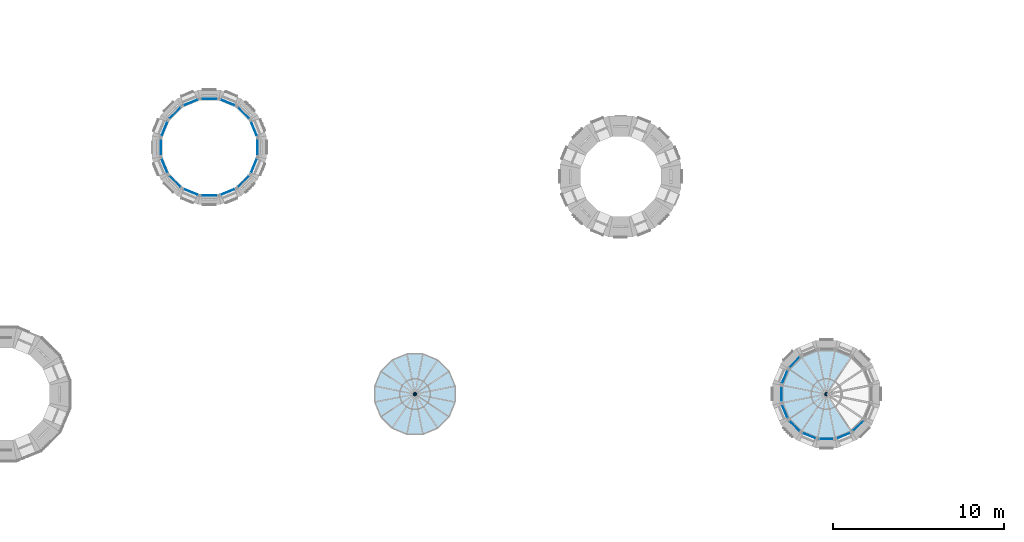
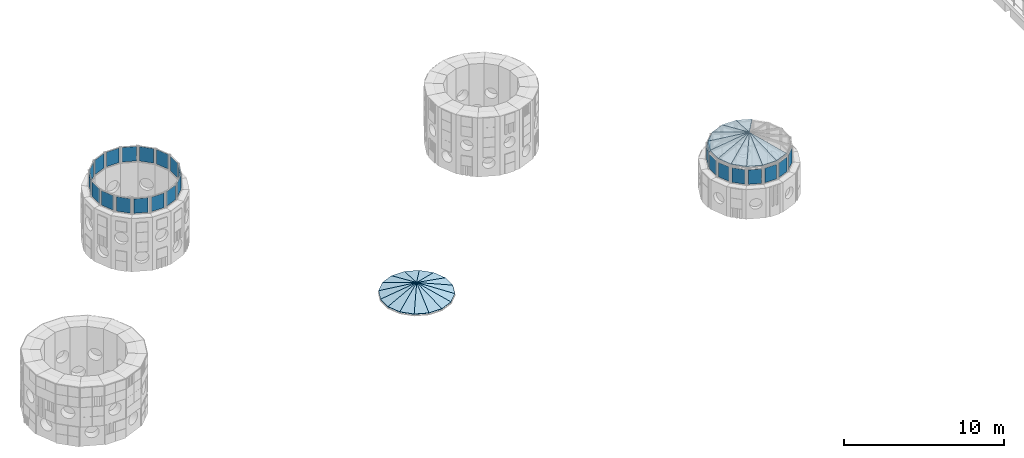
# One storey, part 22 of 42: 27 slabs, 25 plates, 25 elements without a shape of their own.
"""IFC4 building model written with IfcOpenShell, lengths in metres."""

from ifc_helpers import new_model, si_unit, direction, frame, origin, origin_2d, place, context, subcontext, project, spatial, polyline, rectangle, outline, extrude, material, layer, layer_set, type_object, element, aggregate, save


model = new_model("IFC4")

# Units and contexts
model_context = context("Model", 3, precision=1e-05, world=origin(), true_north=direction((0.0, 1.0)))
body_context = subcontext(model_context, "Body", "Model", "MODEL_VIEW")
ifc_project = project(units=[si_unit("LENGTHUNIT", "METRE"), si_unit("AREAUNIT", "SQUARE_METRE"), si_unit("VOLUMEUNIT", "CUBIC_METRE"), si_unit("PLANEANGLEUNIT", "RADIAN"), si_unit("MASSUNIT", "GRAM", prefix="KILO")], contexts=[model_context])

# Site, building, storey
site_placement = place(None, origin())
site = spatial("IfcSite", under=ifc_project, at=site_placement, CompositionType="ELEMENT")
building_placement = place(site_placement, origin())
building = spatial("IfcBuilding", under=site, at=building_placement, Name="Sun Court Science Centre", CompositionType="ELEMENT")
storey_placement = place(building_placement, frame((0.0, 0.0, 20.25)))
storey = spatial("IfcBuildingStorey", under=building, at=storey_placement, Name="L04", CompositionType="ELEMENT", Elevation=20.25)

# Curtain wall, plate
ifc_material_1 = material(Name="Aluminium EN AW-6063 T6", Category="aluminium")
curtain_wall_type = type_object("IfcCurtainWallType", Name="Lantern clerestory curtain wall 1500", PredefinedType="NOTDEFINED", material=ifc_material_1)
curtain_wall_1_placement = place(storey_placement, origin())
curtain_wall_1 = element("IfcCurtainWall", 1, at=curtain_wall_1_placement, inside=storey, type_object=curtain_wall_type, Name="Curtain wall V2 C2 clerestory L04 01", PredefinedType="NOTDEFINED")
ifc_material_2 = material(Name="Insulated glass", Category="glass")
ifc_layer_1 = layer(ifc_material_2, 0.031982421875)
ifc_layer_set_1 = layer_set([ifc_layer_1], Name="Insulated glass")
plate_type = type_object("IfcPlateType", Name="Foyer insulated glazing panel 8-16-8", PredefinedType="CURTAIN_PANEL", material=ifc_layer_set_1)
plate_1_placement = place(storey_placement, frame((20.608154296875, 26.980224609375, 3.800048828125), z_axis=(0.0, 0.0, 1.0), x_axis=(0.382683432365, -0.923879532511, 0.0)))
plate_1 = element("IfcPlate", 2, at=plate_1_placement, type_object=plate_type, Name="Smoke vent opening light CW4-17 panel 1", PredefinedType="CURTAIN_PANEL", context=body_context, shape_type="SweptSolid", body=[
    extrude(rectangle(XDim=0.90869140625, YDim=0.031982421875, at=origin_2d()), origin(), (0.0, 0.0, 1.0), 1.10009765625),
])
aggregate(curtain_wall_1, [plate_1])

curtain_wall_2_placement = place(storey_placement, origin())
curtain_wall_2 = element("IfcCurtainWall", 3, at=curtain_wall_2_placement, inside=storey, type_object=curtain_wall_type, Name="Curtain wall V2 C2 clerestory L04 02", PredefinedType="NOTDEFINED")
plate_2_placement = place(storey_placement, frame((19.99609375, 27.896240234375, 3.800048828125), z_axis=(0.0, 0.0, 1.0), x_axis=(0.707106781187, -0.707106781187, 0.0)))
plate_2 = element("IfcPlate", 4, at=plate_2_placement, type_object=plate_type, Name="CW4-18 panel 1.1", PredefinedType="CURTAIN_PANEL", context=body_context, shape_type="SweptSolid", body=[
    extrude(rectangle(XDim=0.90869140625, YDim=0.031982421875, at=origin_2d()), origin(), (0.0, 0.0, 1.0), 1.10009765625),
])
aggregate(curtain_wall_2, [plate_2])

curtain_wall_3_placement = place(storey_placement, origin())
curtain_wall_3 = element("IfcCurtainWall", 5, at=curtain_wall_3_placement, inside=storey, type_object=curtain_wall_type, Name="Curtain wall V2 C2 clerestory L04 03", PredefinedType="NOTDEFINED")
plate_3_placement = place(storey_placement, frame((19.080322265625, 28.508056640625, 3.800048828125), z_axis=(0.0, 0.0, 1.0), x_axis=(0.923879532511, -0.382683432365, 0.0)))
plate_3 = element("IfcPlate", 6, at=plate_3_placement, type_object=plate_type, Name="Smoke vent opening light CW4-19 panel 1", PredefinedType="CURTAIN_PANEL", context=body_context, shape_type="SweptSolid", body=[
    extrude(rectangle(XDim=0.90869140625, YDim=0.031982421875, at=origin_2d()), origin(), (0.0, 0.0, 1.0), 1.10009765625),
])
aggregate(curtain_wall_3, [plate_3])

curtain_wall_4_placement = place(storey_placement, origin())
curtain_wall_4 = element("IfcCurtainWall", 7, at=curtain_wall_4_placement, inside=storey, type_object=curtain_wall_type, Name="Curtain wall V2 C2 clerestory L04 04", PredefinedType="NOTDEFINED")
plate_4_placement = place(storey_placement, frame((18.0, 28.722900390625, 3.800048828125), z_axis=(0.0, 0.0, 1.0), x_axis=(1.0, 0.0, 0.0)))
plate_4 = element("IfcPlate", 8, at=plate_4_placement, type_object=plate_type, Name="CW4-20 panel 1.1", PredefinedType="CURTAIN_PANEL", context=body_context, shape_type="SweptSolid", body=[
    extrude(rectangle(XDim=0.90869140625, YDim=0.031982421875, at=origin_2d()), origin(), (0.0, 0.0, 1.0), 1.10009765625),
])
aggregate(curtain_wall_4, [plate_4])

curtain_wall_5_placement = place(storey_placement, origin())
curtain_wall_5 = element("IfcCurtainWall", 9, at=curtain_wall_5_placement, inside=storey, type_object=curtain_wall_type, Name="Curtain wall V2 C2 clerestory L04 05", PredefinedType="NOTDEFINED")
plate_5_placement = place(storey_placement, frame((16.919677734375, 28.508056640625, 3.800048828125), z_axis=(0.0, 0.0, 1.0), x_axis=(0.923879532511, 0.382683432365, 0.0)))
plate_5 = element("IfcPlate", 10, at=plate_5_placement, type_object=plate_type, Name="Smoke vent opening light CW4-21 panel 1", PredefinedType="CURTAIN_PANEL", context=body_context, shape_type="SweptSolid", body=[
    extrude(rectangle(XDim=0.90869140625, YDim=0.031982421875, at=origin_2d()), origin(), (0.0, 0.0, 1.0), 1.10009765625),
])
aggregate(curtain_wall_5, [plate_5])

curtain_wall_6_placement = place(storey_placement, origin())
curtain_wall_6 = element("IfcCurtainWall", 11, at=curtain_wall_6_placement, inside=storey, type_object=curtain_wall_type, Name="Curtain wall V2 C2 clerestory L04 06", PredefinedType="NOTDEFINED")
plate_6_placement = place(storey_placement, frame((16.00390625, 27.896240234375, 3.800048828125), z_axis=(0.0, 0.0, 1.0), x_axis=(0.707106781187, 0.707106781187, 0.0)))
plate_6 = element("IfcPlate", 12, at=plate_6_placement, type_object=plate_type, Name="CW4-22 panel 1.1", PredefinedType="CURTAIN_PANEL", context=body_context, shape_type="SweptSolid", body=[
    extrude(rectangle(XDim=0.90869140625, YDim=0.031982421875, at=origin_2d()), origin(), (0.0, 0.0, 1.0), 1.10009765625),
])
aggregate(curtain_wall_6, [plate_6])

curtain_wall_7_placement = place(storey_placement, origin())
curtain_wall_7 = element("IfcCurtainWall", 13, at=curtain_wall_7_placement, inside=storey, type_object=curtain_wall_type, Name="Curtain wall V2 C2 clerestory L04 07", PredefinedType="NOTDEFINED")
plate_7_placement = place(storey_placement, frame((15.391845703125, 26.980224609375, 3.800048828125), z_axis=(0.0, 0.0, 1.0), x_axis=(0.382683432365, 0.923879532511, 0.0)))
plate_7 = element("IfcPlate", 14, at=plate_7_placement, type_object=plate_type, Name="Smoke vent opening light CW4-23 panel 1", PredefinedType="CURTAIN_PANEL", context=body_context, shape_type="SweptSolid", body=[
    extrude(rectangle(XDim=0.90869140625, YDim=0.031982421875, at=origin_2d()), origin(), (0.0, 0.0, 1.0), 1.10009765625),
])
aggregate(curtain_wall_7, [plate_7])

curtain_wall_8_placement = place(storey_placement, origin())
curtain_wall_8 = element("IfcCurtainWall", 15, at=curtain_wall_8_placement, inside=storey, type_object=curtain_wall_type, Name="Curtain wall V2 C2 clerestory L04 08", PredefinedType="NOTDEFINED")
plate_8_placement = place(storey_placement, frame((15.177001953125, 25.89990234375, 3.800048828125), z_axis=(0.0, 0.0, 1.0), x_axis=(0.0, 1.0, 0.0)))
plate_8 = element("IfcPlate", 16, at=plate_8_placement, type_object=plate_type, Name="CW4-24 panel 1.1", PredefinedType="CURTAIN_PANEL", context=body_context, shape_type="SweptSolid", body=[
    extrude(rectangle(XDim=0.90869140625, YDim=0.031982421875, at=origin_2d()), origin(), (0.0, 0.0, 1.0), 1.10009765625),
])
aggregate(curtain_wall_8, [plate_8])

curtain_wall_9_placement = place(storey_placement, origin())
curtain_wall_9 = element("IfcCurtainWall", 17, at=curtain_wall_9_placement, inside=storey, type_object=curtain_wall_type, Name="Curtain wall V2 C2 clerestory L04 09", PredefinedType="NOTDEFINED")
plate_9_placement = place(storey_placement, frame((15.391845703125, 24.81982421875, 3.800048828125), z_axis=(0.0, 0.0, 1.0), x_axis=(-0.382683432365, 0.923879532511, 0.0)))
plate_9 = element("IfcPlate", 18, at=plate_9_placement, type_object=plate_type, Name="Smoke vent opening light CW4-25 panel 1", PredefinedType="CURTAIN_PANEL", context=body_context, shape_type="SweptSolid", body=[
    extrude(rectangle(XDim=0.90869140625, YDim=0.031982421875, at=origin_2d()), origin(), (0.0, 0.0, 1.0), 1.10009765625),
])
aggregate(curtain_wall_9, [plate_9])

curtain_wall_10_placement = place(storey_placement, origin())
curtain_wall_10 = element("IfcCurtainWall", 19, at=curtain_wall_10_placement, inside=storey, type_object=curtain_wall_type, Name="Curtain wall V2 C2 clerestory L04 10", PredefinedType="NOTDEFINED")
plate_10_placement = place(storey_placement, frame((16.00390625, 23.90380859375, 3.800048828125), z_axis=(0.0, 0.0, 1.0), x_axis=(-0.707106781187, 0.707106781187, 0.0)))
plate_10 = element("IfcPlate", 20, at=plate_10_placement, type_object=plate_type, Name="CW4-26 panel 1.1", PredefinedType="CURTAIN_PANEL", context=body_context, shape_type="SweptSolid", body=[
    extrude(rectangle(XDim=0.90869140625, YDim=0.031982421875, at=origin_2d()), origin(), (0.0, 0.0, 1.0), 1.10009765625),
])
aggregate(curtain_wall_10, [plate_10])

curtain_wall_11_placement = place(storey_placement, origin())
curtain_wall_11 = element("IfcCurtainWall", 21, at=curtain_wall_11_placement, inside=storey, type_object=curtain_wall_type, Name="Curtain wall V2 C2 clerestory L04 11", PredefinedType="NOTDEFINED")
plate_11_placement = place(storey_placement, frame((16.919677734375, 23.2919921875, 3.800048828125), z_axis=(0.0, 0.0, 1.0), x_axis=(-0.923879532511, 0.382683432365, 0.0)))
plate_11 = element("IfcPlate", 22, at=plate_11_placement, type_object=plate_type, Name="Smoke vent opening light CW4-27 panel 1", PredefinedType="CURTAIN_PANEL", context=body_context, shape_type="SweptSolid", body=[
    extrude(rectangle(XDim=0.90869140625, YDim=0.031982421875, at=origin_2d()), origin(), (0.0, 0.0, 1.0), 1.10009765625),
])
aggregate(curtain_wall_11, [plate_11])

curtain_wall_12_placement = place(storey_placement, origin())
curtain_wall_12 = element("IfcCurtainWall", 23, at=curtain_wall_12_placement, inside=storey, type_object=curtain_wall_type, Name="Curtain wall V2 C2 clerestory L04 12", PredefinedType="NOTDEFINED")
plate_12_placement = place(storey_placement, frame((18.0, 23.0771484375, 3.800048828125), z_axis=(0.0, 0.0, 1.0), x_axis=(-1.0, 0.0, 0.0)))
plate_12 = element("IfcPlate", 24, at=plate_12_placement, type_object=plate_type, Name="CW4-28 panel 1.1", PredefinedType="CURTAIN_PANEL", context=body_context, shape_type="SweptSolid", body=[
    extrude(rectangle(XDim=0.90869140625, YDim=0.031982421875, at=origin_2d()), origin(), (0.0, 0.0, 1.0), 1.10009765625),
])
aggregate(curtain_wall_12, [plate_12])

curtain_wall_13_placement = place(storey_placement, origin())
curtain_wall_13 = element("IfcCurtainWall", 25, at=curtain_wall_13_placement, inside=storey, type_object=curtain_wall_type, Name="Curtain wall V2 C2 clerestory L04 13", PredefinedType="NOTDEFINED")
plate_13_placement = place(storey_placement, frame((19.080322265625, 23.2919921875, 3.800048828125), z_axis=(0.0, 0.0, 1.0), x_axis=(-0.923879532511, -0.382683432365, 0.0)))
plate_13 = element("IfcPlate", 26, at=plate_13_placement, type_object=plate_type, Name="Smoke vent opening light CW4-29 panel 1", PredefinedType="CURTAIN_PANEL", context=body_context, shape_type="SweptSolid", body=[
    extrude(rectangle(XDim=0.90869140625, YDim=0.031982421875, at=origin_2d()), origin(), (0.0, 0.0, 1.0), 1.10009765625),
])
aggregate(curtain_wall_13, [plate_13])

curtain_wall_14_placement = place(storey_placement, origin())
curtain_wall_14 = element("IfcCurtainWall", 27, at=curtain_wall_14_placement, inside=storey, type_object=curtain_wall_type, Name="Curtain wall V2 C2 clerestory L04 14", PredefinedType="NOTDEFINED")
plate_14_placement = place(storey_placement, frame((19.99609375, 23.90380859375, 3.800048828125), z_axis=(0.0, 0.0, 1.0), x_axis=(-0.707106781187, -0.707106781187, 0.0)))
plate_14 = element("IfcPlate", 28, at=plate_14_placement, type_object=plate_type, Name="CW4-30 panel 1.1", PredefinedType="CURTAIN_PANEL", context=body_context, shape_type="SweptSolid", body=[
    extrude(rectangle(XDim=0.90869140625, YDim=0.031982421875, at=origin_2d()), origin(), (0.0, 0.0, 1.0), 1.10009765625),
])
aggregate(curtain_wall_14, [plate_14])

curtain_wall_15_placement = place(storey_placement, origin())
curtain_wall_15 = element("IfcCurtainWall", 29, at=curtain_wall_15_placement, inside=storey, type_object=curtain_wall_type, Name="Curtain wall V2 C2 clerestory L04 15", PredefinedType="NOTDEFINED")
plate_15_placement = place(storey_placement, frame((20.608154296875, 24.81982421875, 3.800048828125), z_axis=(0.0, 0.0, 1.0), x_axis=(-0.382683432365, -0.923879532511, 0.0)))
plate_15 = element("IfcPlate", 30, at=plate_15_placement, type_object=plate_type, Name="Smoke vent opening light CW4-31 panel 1", PredefinedType="CURTAIN_PANEL", context=body_context, shape_type="SweptSolid", body=[
    extrude(rectangle(XDim=0.90869140625, YDim=0.031982421875, at=origin_2d()), origin(), (0.0, 0.0, 1.0), 1.10009765625),
])
aggregate(curtain_wall_15, [plate_15])

curtain_wall_16_placement = place(storey_placement, origin())
curtain_wall_16 = element("IfcCurtainWall", 31, at=curtain_wall_16_placement, inside=storey, type_object=curtain_wall_type, Name="Curtain wall V2 C2 clerestory L04 16", PredefinedType="NOTDEFINED")
plate_16_placement = place(storey_placement, frame((20.822998046875, 25.89990234375, 3.800048828125), z_axis=(0.0, 0.0, 1.0), x_axis=(0.0, -1.0, 0.0)))
plate_16 = element("IfcPlate", 32, at=plate_16_placement, type_object=plate_type, Name="CW4-32 panel 1.1", PredefinedType="CURTAIN_PANEL", context=body_context, shape_type="SweptSolid", body=[
    extrude(rectangle(XDim=0.90869140625, YDim=0.031982421875, at=origin_2d()), origin(), (0.0, 0.0, 1.0), 1.10009765625),
])
aggregate(curtain_wall_16, [plate_16])

curtain_wall_17_placement = place(storey_placement, origin())
curtain_wall_17 = element("IfcCurtainWall", 33, at=curtain_wall_17_placement, inside=storey, type_object=curtain_wall_type, Name="Curtain wall V2 C5 clerestory L04 06", PredefinedType="NOTDEFINED")
plate_17_placement = place(storey_placement, frame((52.142578125, 13.357421875, 2.0), z_axis=(0.0, 0.0, 1.0), x_axis=(0.707106781187, 0.707106781187, 0.0)))
plate_17 = element("IfcPlate", 34, at=plate_17_placement, type_object=plate_type, Name="CW4-70 panel 1.1", PredefinedType="CURTAIN_PANEL", context=body_context, shape_type="SweptSolid", body=[
    extrude(rectangle(XDim=0.830810546875, YDim=0.031982421875, at=origin_2d()), origin(), (0.0, 0.0, 1.0), 1.10009765625),
])
aggregate(curtain_wall_17, [plate_17])

curtain_wall_18_placement = place(storey_placement, origin())
curtain_wall_18 = element("IfcCurtainWall", 35, at=curtain_wall_18_placement, inside=storey, type_object=curtain_wall_type, Name="Curtain wall V2 C5 clerestory L04 07", PredefinedType="NOTDEFINED")
plate_18_placement = place(storey_placement, frame((51.5732421875, 12.505126953125, 2.0), z_axis=(0.0, 0.0, 1.0), x_axis=(0.382683432365, 0.923879532511, 0.0)))
plate_18 = element("IfcPlate", 36, at=plate_18_placement, type_object=plate_type, Name="Smoke vent opening light CW4-71 panel 1", PredefinedType="CURTAIN_PANEL", context=body_context, shape_type="SweptSolid", body=[
    extrude(rectangle(XDim=0.830810546875, YDim=0.031982421875, at=origin_2d()), origin(), (0.0, 0.0, 1.0), 1.10009765625),
])
aggregate(curtain_wall_18, [plate_18])

curtain_wall_19_placement = place(storey_placement, origin())
curtain_wall_19 = element("IfcCurtainWall", 37, at=curtain_wall_19_placement, inside=storey, type_object=curtain_wall_type, Name="Curtain wall V2 C5 clerestory L04 08", PredefinedType="NOTDEFINED")
plate_19_placement = place(storey_placement, frame((51.373291015625, 11.5, 2.0), z_axis=(0.0, 0.0, 1.0), x_axis=(0.0, 1.0, 0.0)))
plate_19 = element("IfcPlate", 38, at=plate_19_placement, type_object=plate_type, Name="CW4-72 panel 1.1", PredefinedType="CURTAIN_PANEL", context=body_context, shape_type="SweptSolid", body=[
    extrude(rectangle(XDim=0.830810546875, YDim=0.031982421875, at=origin_2d()), origin(), (0.0, 0.0, 1.0), 1.10009765625),
])
aggregate(curtain_wall_19, [plate_19])

curtain_wall_20_placement = place(storey_placement, origin())
curtain_wall_20 = element("IfcCurtainWall", 39, at=curtain_wall_20_placement, inside=storey, type_object=curtain_wall_type, Name="Curtain wall V2 C5 clerestory L04 09", PredefinedType="NOTDEFINED")
plate_20_placement = place(storey_placement, frame((51.5732421875, 10.494873046875, 2.0), z_axis=(0.0, 0.0, 1.0), x_axis=(-0.382683432365, 0.923879532511, 0.0)))
plate_20 = element("IfcPlate", 40, at=plate_20_placement, type_object=plate_type, Name="Smoke vent opening light CW4-73 panel 1", PredefinedType="CURTAIN_PANEL", context=body_context, shape_type="SweptSolid", body=[
    extrude(rectangle(XDim=0.830810546875, YDim=0.031982421875, at=origin_2d()), origin(), (0.0, 0.0, 1.0), 1.10009765625),
])
aggregate(curtain_wall_20, [plate_20])

curtain_wall_21_placement = place(storey_placement, origin())
curtain_wall_21 = element("IfcCurtainWall", 41, at=curtain_wall_21_placement, inside=storey, type_object=curtain_wall_type, Name="Curtain wall V2 C5 clerestory L04 10", PredefinedType="NOTDEFINED")
plate_21_placement = place(storey_placement, frame((52.142578125, 9.642578125, 2.0), z_axis=(0.0, 0.0, 1.0), x_axis=(-0.707106781187, 0.707106781187, 0.0)))
plate_21 = element("IfcPlate", 42, at=plate_21_placement, type_object=plate_type, Name="CW4-74 panel 1.1", PredefinedType="CURTAIN_PANEL", context=body_context, shape_type="SweptSolid", body=[
    extrude(rectangle(XDim=0.830810546875, YDim=0.031982421875, at=origin_2d()), origin(), (0.0, 0.0, 1.0), 1.10009765625),
])
aggregate(curtain_wall_21, [plate_21])

curtain_wall_22_placement = place(storey_placement, origin())
curtain_wall_22 = element("IfcCurtainWall", 43, at=curtain_wall_22_placement, inside=storey, type_object=curtain_wall_type, Name="Curtain wall V2 C5 clerestory L04 11", PredefinedType="NOTDEFINED")
plate_22_placement = place(storey_placement, frame((52.994873046875, 9.0732421875, 2.0), z_axis=(0.0, 0.0, 1.0), x_axis=(-0.923879532511, 0.382683432365, 0.0)))
plate_22 = element("IfcPlate", 44, at=plate_22_placement, type_object=plate_type, Name="Smoke vent opening light CW4-75 panel 1", PredefinedType="CURTAIN_PANEL", context=body_context, shape_type="SweptSolid", body=[
    extrude(rectangle(XDim=0.830810546875, YDim=0.031982421875, at=origin_2d()), origin(), (0.0, 0.0, 1.0), 1.10009765625),
])
aggregate(curtain_wall_22, [plate_22])

curtain_wall_23_placement = place(storey_placement, origin())
curtain_wall_23 = element("IfcCurtainWall", 45, at=curtain_wall_23_placement, inside=storey, type_object=curtain_wall_type, Name="Curtain wall V2 C5 clerestory L04 12", PredefinedType="NOTDEFINED")
plate_23_placement = place(storey_placement, frame((54.0, 8.873291015625, 2.0), z_axis=(0.0, 0.0, 1.0), x_axis=(-1.0, 0.0, 0.0)))
plate_23 = element("IfcPlate", 46, at=plate_23_placement, type_object=plate_type, Name="CW4-76 panel 1.1", PredefinedType="CURTAIN_PANEL", context=body_context, shape_type="SweptSolid", body=[
    extrude(rectangle(XDim=0.830810546875, YDim=0.031982421875, at=origin_2d()), origin(), (0.0, 0.0, 1.0), 1.10009765625),
])
aggregate(curtain_wall_23, [plate_23])

curtain_wall_24_placement = place(storey_placement, origin())
curtain_wall_24 = element("IfcCurtainWall", 47, at=curtain_wall_24_placement, inside=storey, type_object=curtain_wall_type, Name="Curtain wall V2 C5 clerestory L04 13", PredefinedType="NOTDEFINED")
plate_24_placement = place(storey_placement, frame((55.005126953125, 9.0732421875, 2.0), z_axis=(0.0, 0.0, 1.0), x_axis=(-0.923879532511, -0.382683432365, 0.0)))
plate_24 = element("IfcPlate", 48, at=plate_24_placement, type_object=plate_type, Name="Smoke vent opening light CW4-77 panel 1", PredefinedType="CURTAIN_PANEL", context=body_context, shape_type="SweptSolid", body=[
    extrude(rectangle(XDim=0.830810546875, YDim=0.031982421875, at=origin_2d()), origin(), (0.0, 0.0, 1.0), 1.10009765625),
])
aggregate(curtain_wall_24, [plate_24])

curtain_wall_25_placement = place(storey_placement, origin())
curtain_wall_25 = element("IfcCurtainWall", 49, at=curtain_wall_25_placement, inside=storey, type_object=curtain_wall_type, Name="Curtain wall V2 C5 clerestory L04 14", PredefinedType="NOTDEFINED")
plate_25_placement = place(storey_placement, frame((55.857421875, 9.642578125, 2.0), z_axis=(0.0, 0.0, 1.0), x_axis=(-0.707106781187, -0.707106781187, 0.0)))
plate_25 = element("IfcPlate", 50, at=plate_25_placement, type_object=plate_type, Name="CW4-78 panel 1.1", PredefinedType="CURTAIN_PANEL", context=body_context, shape_type="SweptSolid", body=[
    extrude(rectangle(XDim=0.830810546875, YDim=0.031982421875, at=origin_2d()), origin(), (0.0, 0.0, 1.0), 1.10009765625),
])
aggregate(curtain_wall_25, [plate_25])

# Slabs
ifc_material_3 = material(Name="Toughened safety glass", Category="glass")
ifc_layer_2 = layer(ifc_material_3, 0.06005859375)
ifc_layer_set_2 = layer_set([ifc_layer_2], Name="Toughened safety glass")
slab_type = type_object("IfcSlabType", Name="Glazed lantern panel 60", PredefinedType="ROOF", material=ifc_layer_set_2)
slab_1_placement = place(storey_placement, frame((32.34228515625, 11.9658203125, 0.3095703125), z_axis=(0.277836175791, 0.115010154991, 0.953718891325), x_axis=(-0.382475194149, 0.923965760113, 0.0)))
element("IfcSlab", 51, at=slab_1_placement, inside=storey, type_object=slab_type, Name="Smoke vent opening light cone 3 panel 01", PredefinedType="ROOF", context=body_context, shape_type="SweptSolid", body=[
    extrude(outline(polyline([(0.0, 0.0), (0.9319436082458787, -5.551115123125783e-17), (0.4654639507746774, 2.456023489271575), (0.0, 0.0)])), origin(), (0.0, 0.0, -1.0), 0.06005859375),
])
slab_2_placement = place(storey_placement, frame((31.98583984375, 12.826904296875, 0.3095703125), z_axis=(0.212617853648, 0.212617853648, 0.953722861538), x_axis=(-0.707106781187, 0.707106781187, 0.0)))
element("IfcSlab", 52, at=slab_2_placement, inside=storey, type_object=slab_type, Name="Lantern glazing cone 3 panel 02", PredefinedType="ROOF", context=body_context, shape_type="SweptSolid", body=[
    extrude(outline(polyline([(0.0, 0.0), (0.9318755871203573, 0.0), (0.4659377935601787, 2.4561263451256825), (0.0, 0.0)])), origin(), (0.0, 0.0, -1.0), 0.06005859375),
])
slab_3_placement = place(storey_placement, frame((31.326904296875, 13.48583984375, 0.3095703125), z_axis=(0.115010154991, 0.277836175791, 0.953718891325), x_axis=(-0.923965760113, 0.382475194149, 0.0)))
element("IfcSlab", 53, at=slab_3_placement, inside=storey, type_object=slab_type, Name="Smoke vent opening light cone 3 panel 03", PredefinedType="ROOF", context=body_context, shape_type="SweptSolid", body=[
    extrude(outline(polyline([(0.0, 0.0), (0.9319436082458787, 5.551115123125783e-17), (0.46647965747120135, 2.456023489271575), (0.0, 0.0)])), origin(), (0.0, 0.0, -1.0), 0.06005859375),
])
slab_4_placement = place(storey_placement, frame((30.4658203125, 13.84228515625, 0.3095703125), z_axis=(0.0, 0.300707917065, 0.953716283081), x_axis=(-1.0, 0.0, 0.0)))
element("IfcSlab", 54, at=slab_4_placement, inside=storey, type_object=slab_type, Name="Lantern glazing cone 3 panel 04", PredefinedType="ROOF", context=body_context, shape_type="SweptSolid", body=[
    extrude(outline(polyline([(0.0, 0.0), (0.931640625, 0.0), (0.4658203125, 2.4559559250497345), (0.0, 0.0)])), origin(), (0.0, 0.0, -1.0), 0.06005859375),
])
slab_5_placement = place(storey_placement, frame((29.5341796875, 13.84228515625, 0.3095703125), z_axis=(-0.115010154991, 0.277836175791, 0.953718891325), x_axis=(-0.923965760113, -0.382475194149, 0.0)))
element("IfcSlab", 55, at=slab_5_placement, inside=storey, type_object=slab_type, Name="Smoke vent opening light cone 3 panel 05", PredefinedType="ROOF", context=body_context, shape_type="SweptSolid", body=[
    extrude(outline(polyline([(0.0, 0.0), (0.9319436082458787, -5.551115123125783e-17), (0.4654639507746774, 2.456023489271575), (0.0, 0.0)])), origin(), (0.0, 0.0, -1.0), 0.06005859375),
])
slab_6_placement = place(storey_placement, frame((28.673095703125, 13.48583984375, 0.3095703125), z_axis=(-0.212617853648, 0.212617853648, 0.953722861538), x_axis=(-0.707106781187, -0.707106781187, 0.0)))
element("IfcSlab", 56, at=slab_6_placement, inside=storey, type_object=slab_type, Name="Lantern glazing cone 3 panel 06", PredefinedType="ROOF", context=body_context, shape_type="SweptSolid", body=[
    extrude(outline(polyline([(0.0, 0.0), (0.9318755871203573, 0.0), (0.4659377935601787, 2.4561263451256825), (0.0, 0.0)])), origin(), (0.0, 0.0, -1.0), 0.06005859375),
])
slab_7_placement = place(storey_placement, frame((28.01416015625, 12.826904296875, 0.3095703125), z_axis=(-0.277836175791, 0.115010154991, 0.953718891325), x_axis=(-0.382475194149, -0.923965760113, 0.0)))
element("IfcSlab", 57, at=slab_7_placement, inside=storey, type_object=slab_type, Name="Smoke vent opening light cone 3 panel 07", PredefinedType="ROOF", context=body_context, shape_type="SweptSolid", body=[
    extrude(outline(polyline([(0.0, 0.0), (0.9319436082458787, 5.551115123125783e-17), (0.46647965747120135, 2.456023489271575), (0.0, 0.0)])), origin(), (0.0, 0.0, -1.0), 0.06005859375),
])
slab_8_placement = place(storey_placement, frame((27.65771484375, 11.9658203125, 0.3095703125), z_axis=(-0.300707917065, 0.0, 0.953716283081), x_axis=(0.0, -1.0, 0.0)))
element("IfcSlab", 58, at=slab_8_placement, inside=storey, type_object=slab_type, Name="Lantern glazing cone 3 panel 08", PredefinedType="ROOF", context=body_context, shape_type="SweptSolid", body=[
    extrude(outline(polyline([(0.0, 0.0), (0.931640625, 0.0), (0.4658203125, 2.4559559250497345), (0.0, 0.0)])), origin(), (0.0, 0.0, -1.0), 0.06005859375),
])
slab_9_placement = place(storey_placement, frame((27.65771484375, 11.0341796875, 0.3095703125), z_axis=(-0.277836175791, -0.115010154991, 0.953718891325), x_axis=(0.382475194149, -0.923965760113, 0.0)))
element("IfcSlab", 59, at=slab_9_placement, inside=storey, type_object=slab_type, Name="Smoke vent opening light cone 3 panel 09", PredefinedType="ROOF", context=body_context, shape_type="SweptSolid", body=[
    extrude(outline(polyline([(0.0, 0.0), (0.9319436082458787, -5.551115123125783e-17), (0.4654639507746774, 2.456023489271575), (0.0, 0.0)])), origin(), (0.0, 0.0, -1.0), 0.06005859375),
])
slab_10_placement = place(storey_placement, frame((28.01416015625, 10.173095703125, 0.3095703125), z_axis=(-0.212617853648, -0.212617853648, 0.953722861538), x_axis=(0.707106781187, -0.707106781187, 0.0)))
element("IfcSlab", 60, at=slab_10_placement, inside=storey, type_object=slab_type, Name="Lantern glazing cone 3 panel 10", PredefinedType="ROOF", context=body_context, shape_type="SweptSolid", body=[
    extrude(outline(polyline([(0.0, 0.0), (0.9318755871203573, 0.0), (0.4659377935601787, 2.4561263451256825), (0.0, 0.0)])), origin(), (0.0, 0.0, -1.0), 0.06005859375),
])
slab_11_placement = place(storey_placement, frame((28.673095703125, 9.51416015625, 0.3095703125), z_axis=(-0.115010154991, -0.277836175791, 0.953718891325), x_axis=(0.923965760113, -0.382475194149, 0.0)))
element("IfcSlab", 61, at=slab_11_placement, inside=storey, type_object=slab_type, Name="Smoke vent opening light cone 3 panel 11", PredefinedType="ROOF", context=body_context, shape_type="SweptSolid", body=[
    extrude(outline(polyline([(0.0, 0.0), (0.9319436082458787, 5.551115123125783e-17), (0.46647965747120135, 2.456023489271575), (0.0, 0.0)])), origin(), (0.0, 0.0, -1.0), 0.06005859375),
])
slab_12_placement = place(storey_placement, frame((29.5341796875, 9.15771484375, 0.3095703125), z_axis=(0.0, -0.300707917065, 0.953716283081), x_axis=(1.0, 0.0, 0.0)))
element("IfcSlab", 62, at=slab_12_placement, inside=storey, type_object=slab_type, Name="Lantern glazing cone 3 panel 12", PredefinedType="ROOF", context=body_context, shape_type="SweptSolid", body=[
    extrude(outline(polyline([(0.0, 0.0), (0.931640625, 0.0), (0.4658203125, 2.4559559250497345), (0.0, 0.0)])), origin(), (0.0, 0.0, -1.0), 0.06005859375),
])
slab_13_placement = place(storey_placement, frame((30.4658203125, 9.15771484375, 0.3095703125), z_axis=(0.115010154991, -0.277836175791, 0.953718891325), x_axis=(0.923965760113, 0.382475194149, 0.0)))
element("IfcSlab", 63, at=slab_13_placement, inside=storey, type_object=slab_type, Name="Smoke vent opening light cone 3 panel 13", PredefinedType="ROOF", context=body_context, shape_type="SweptSolid", body=[
    extrude(outline(polyline([(0.0, 0.0), (0.9319436082458787, -5.551115123125783e-17), (0.4654639507746774, 2.456023489271575), (0.0, 0.0)])), origin(), (0.0, 0.0, -1.0), 0.06005859375),
])
slab_14_placement = place(storey_placement, frame((31.326904296875, 9.51416015625, 0.3095703125), z_axis=(0.212617853648, -0.212617853648, 0.953722861538), x_axis=(0.707106781187, 0.707106781187, 0.0)))
element("IfcSlab", 64, at=slab_14_placement, inside=storey, type_object=slab_type, Name="Lantern glazing cone 3 panel 14", PredefinedType="ROOF", context=body_context, shape_type="SweptSolid", body=[
    extrude(outline(polyline([(0.0, 0.0), (0.9318755871203573, 0.0), (0.4659377935601787, 2.4561263451256825), (0.0, 0.0)])), origin(), (0.0, 0.0, -1.0), 0.06005859375),
])
slab_15_placement = place(storey_placement, frame((31.98583984375, 10.173095703125, 0.3095703125), z_axis=(0.277836175791, -0.115010154991, 0.953718891325), x_axis=(0.382475194149, 0.923965760113, 0.0)))
element("IfcSlab", 65, at=slab_15_placement, inside=storey, type_object=slab_type, Name="Smoke vent opening light cone 3 panel 15", PredefinedType="ROOF", context=body_context, shape_type="SweptSolid", body=[
    extrude(outline(polyline([(0.0, 0.0), (0.9319436082458787, 5.551115123125783e-17), (0.46647965747120135, 2.456023489271575), (0.0, 0.0)])), origin(), (0.0, 0.0, -1.0), 0.06005859375),
])
slab_16_placement = place(storey_placement, frame((32.34228515625, 11.0341796875, 0.3095703125), z_axis=(0.300707917065, 0.0, 0.953716283081), x_axis=(0.0, 1.0, 0.0)))
element("IfcSlab", 66, at=slab_16_placement, inside=storey, type_object=slab_type, Name="Lantern glazing cone 3 panel 16", PredefinedType="ROOF", context=body_context, shape_type="SweptSolid", body=[
    extrude(outline(polyline([(0.0, 0.0), (0.931640625, 0.0), (0.4658203125, 2.4559559250497345), (0.0, 0.0)])), origin(), (0.0, 0.0, -1.0), 0.06005859375),
])
slab_17_placement = place(storey_placement, frame((55.43798828125, 13.652099609375, 3.3095703125), z_axis=(0.115052739813, 0.27778368387, 0.953729045399), x_axis=(-0.923890149844, 0.38265779885, 0.0)))
element("IfcSlab", 67, at=slab_17_placement, inside=storey, type_object=slab_type, Name="Smoke vent opening light cone 5 panel 03", PredefinedType="ROOF", context=body_context, shape_type="SweptSolid", body=[
    extrude(outline(polyline([(0.0, 0.0), (1.009974474678799, 0.0), (0.5050255092097349, 2.661721453601502), (0.0, 0.0)])), origin(), (0.0, 0.0, -1.0), 0.06005859375),
])
slab_18_placement = place(storey_placement, frame((54.5048828125, 14.03857421875, 3.3095703125), z_axis=(0.0, 0.300666019973, 0.953729492274), x_axis=(-1.0, 0.0, 0.0)))
element("IfcSlab", 68, at=slab_18_placement, inside=storey, type_object=slab_type, Name="Lantern glazing cone 5 panel 04", PredefinedType="ROOF", context=body_context, shape_type="SweptSolid", body=[
    extrude(outline(polyline([(0.0, 0.0), (1.009765625, 0.0), (0.5048828125, 2.66173400247524), (0.0, 0.0)])), origin(), (0.0, 0.0, -1.0), 0.06005859375),
])
slab_19_placement = place(storey_placement, frame((53.4951171875, 14.03857421875, 3.3095703125), z_axis=(-0.115052739813, 0.27778368387, 0.953729045399), x_axis=(-0.923890149844, -0.38265779885, 0.0)))
element("IfcSlab", 69, at=slab_19_placement, inside=storey, type_object=slab_type, Name="Smoke vent opening light cone 5 panel 05", PredefinedType="ROOF", context=body_context, shape_type="SweptSolid", body=[
    extrude(outline(polyline([(0.0, 0.0), (1.009974474678799, 0.0), (0.5049489654690642, 2.661721453601502), (0.0, 0.0)])), origin(), (0.0, 0.0, -1.0), 0.06005859375),
])
slab_20_placement = place(storey_placement, frame((52.56201171875, 13.652099609375, 3.3095703125), z_axis=(-0.212602884562, 0.212602884562, 0.953729535535), x_axis=(-0.707106781187, -0.707106781187, 0.0)))
element("IfcSlab", 70, at=slab_20_placement, inside=storey, type_object=slab_type, Name="Lantern glazing cone 5 panel 06", PredefinedType="ROOF", context=body_context, shape_type="SweptSolid", body=[
    extrude(outline(polyline([(0.0, 0.0), (1.0099059252786384, 0.0), (0.5049529626393192, 2.6617352173040842), (0.0, 0.0)])), origin(), (0.0, 0.0, -1.0), 0.06005859375),
])
slab_21_placement = place(storey_placement, frame((51.847900390625, 12.93798828125, 3.3095703125), z_axis=(-0.27778368387, 0.115052739813, 0.953729045399), x_axis=(-0.38265779885, -0.923890149844, 0.0)))
element("IfcSlab", 71, at=slab_21_placement, inside=storey, type_object=slab_type, Name="Smoke vent opening light cone 5 panel 07", PredefinedType="ROOF", context=body_context, shape_type="SweptSolid", body=[
    extrude(outline(polyline([(0.0, 0.0), (1.009974474678799, 0.0), (0.5050255092097349, 2.661721453601502), (0.0, 0.0)])), origin(), (0.0, 0.0, -1.0), 0.06005859375),
])
slab_22_placement = place(storey_placement, frame((51.46142578125, 12.0048828125, 3.3095703125), z_axis=(-0.300666019973, 0.0, 0.953729492274), x_axis=(0.0, -1.0, 0.0)))
element("IfcSlab", 72, at=slab_22_placement, inside=storey, type_object=slab_type, Name="Lantern glazing cone 5 panel 08", PredefinedType="ROOF", context=body_context, shape_type="SweptSolid", body=[
    extrude(outline(polyline([(0.0, 0.0), (1.009765625, 0.0), (0.5048828125, 2.66173400247524), (0.0, 0.0)])), origin(), (0.0, 0.0, -1.0), 0.06005859375),
])
slab_23_placement = place(storey_placement, frame((51.46142578125, 10.9951171875, 3.3095703125), z_axis=(-0.27778368387, -0.115052739813, 0.953729045399), x_axis=(0.38265779885, -0.923890149844, 0.0)))
element("IfcSlab", 73, at=slab_23_placement, inside=storey, type_object=slab_type, Name="Smoke vent opening light cone 5 panel 09", PredefinedType="ROOF", context=body_context, shape_type="SweptSolid", body=[
    extrude(outline(polyline([(0.0, 0.0), (1.009974474678799, 0.0), (0.5049489654690642, 2.661721453601502), (0.0, 0.0)])), origin(), (0.0, 0.0, -1.0), 0.06005859375),
])
slab_24_placement = place(storey_placement, frame((51.847900390625, 10.06201171875, 3.3095703125), z_axis=(-0.212602884562, -0.212602884562, 0.953729535535), x_axis=(0.707106781187, -0.707106781187, 0.0)))
element("IfcSlab", 74, at=slab_24_placement, inside=storey, type_object=slab_type, Name="Lantern glazing cone 5 panel 10", PredefinedType="ROOF", context=body_context, shape_type="SweptSolid", body=[
    extrude(outline(polyline([(0.0, 0.0), (1.0099059252786384, 0.0), (0.5049529626393192, 2.6617352173040842), (0.0, 0.0)])), origin(), (0.0, 0.0, -1.0), 0.06005859375),
])
slab_25_placement = place(storey_placement, frame((52.56201171875, 9.347900390625, 3.3095703125), z_axis=(-0.115052739813, -0.27778368387, 0.953729045399), x_axis=(0.923890149844, -0.38265779885, 0.0)))
element("IfcSlab", 75, at=slab_25_placement, inside=storey, type_object=slab_type, Name="Smoke vent opening light cone 5 panel 11", PredefinedType="ROOF", context=body_context, shape_type="SweptSolid", body=[
    extrude(outline(polyline([(0.0, 0.0), (1.009974474678799, 0.0), (0.5050255092097349, 2.661721453601502), (0.0, 0.0)])), origin(), (0.0, 0.0, -1.0), 0.06005859375),
])
slab_26_placement = place(storey_placement, frame((53.4951171875, 8.96142578125, 3.3095703125), z_axis=(0.0, -0.300666019973, 0.953729492274), x_axis=(1.0, 0.0, 0.0)))
element("IfcSlab", 76, at=slab_26_placement, inside=storey, type_object=slab_type, Name="Lantern glazing cone 5 panel 12", PredefinedType="ROOF", context=body_context, shape_type="SweptSolid", body=[
    extrude(outline(polyline([(0.0, 0.0), (1.009765625, 0.0), (0.5048828125, 2.66173400247524), (0.0, 0.0)])), origin(), (0.0, 0.0, -1.0), 0.06005859375),
])
slab_27_placement = place(storey_placement, frame((54.5048828125, 8.96142578125, 3.3095703125), z_axis=(0.115052739813, -0.27778368387, 0.953729045399), x_axis=(0.923890149844, 0.38265779885, 0.0)))
element("IfcSlab", 77, at=slab_27_placement, inside=storey, type_object=slab_type, Name="Smoke vent opening light cone 5 panel 13", PredefinedType="ROOF", context=body_context, shape_type="SweptSolid", body=[
    extrude(outline(polyline([(0.0, 0.0), (1.009974474678799, 0.0), (0.5049489654690642, 2.661721453601502), (0.0, 0.0)])), origin(), (0.0, 0.0, -1.0), 0.06005859375),
])

save(model, "model.ifc")
